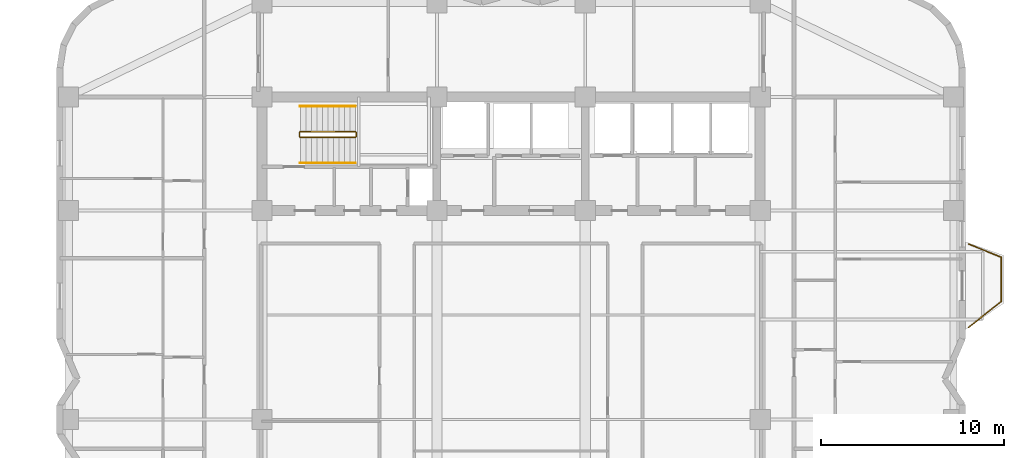
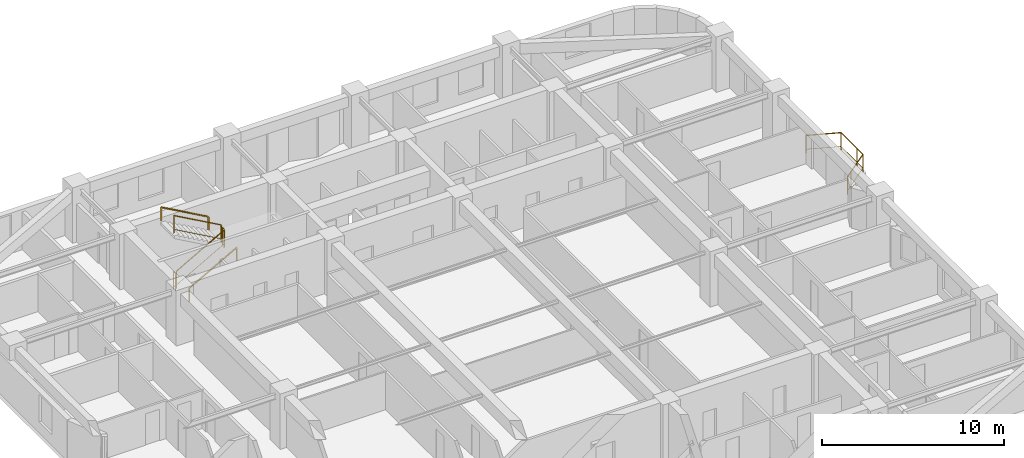
# One storey, part 10 of 10: 7 railings.
"""IFC4 building model written with IfcOpenShell, lengths in metres."""

import ifcopenshell
import ifcopenshell.guid

model = None  # the IFC model being written
_history = None  # IfcOwnerHistory: only IFC2X3 demands one
_inside = {}  # id of a spatial element -> (the spatial element, [elements in it])
_under = {}  # id of a project, library or spatial element -> (it, [spatial elements below it])
_declared = {}  # id of a project -> (the project, [libraries it declares])
_typed = {}  # id of a type object -> (the type object, [elements of that type])
_made_of = {}  # id of a material, layer set ... -> (it, [elements and type objects made of it])


def new_model(schema):
    """Start an empty IFC model of exactly this schema.

    Asked for "IFC4X3", IfcOpenShell would pick the latest addendum, in which some entities
    have other attributes; the version numbers below select the first issue.
    IFC2X3 requires an IfcOwnerHistory on every rooted entity: one is made here for all.
    """
    global model, _history
    if schema == "IFC4X3":
        model = ifcopenshell.file(schema_version=(4, 3, 0, 0))
    else:
        model = ifcopenshell.file(schema=schema)
    _inside.clear()
    _under.clear()
    _declared.clear()
    _typed.clear()
    _made_of.clear()
    _history = None
    if model.schema == "IFC2X3":
        org = make("IfcOrganization", Name="unknown")
        user = make(
            "IfcPersonAndOrganization",
            ThePerson=make("IfcPerson", FamilyName="unknown"),
            TheOrganization=org,
        )
        app = make(
            "IfcApplication",
            ApplicationDeveloper=org,
            Version="unknown",
            ApplicationFullName="unknown",
            ApplicationIdentifier="unknown",
        )
        _history = make(
            "IfcOwnerHistory",
            OwningUser=user,
            OwningApplication=app,
            ChangeAction="ADDED",
            CreationDate=0,
        )
    return model


def make(cls, **values):
    """One entity of the class cls with the attributes given. An attribute that is None is left unset."""
    return model.create_entity(
        cls, **{name: value for name, value in values.items() if value is not None}
    )


def rooted(cls, **values):
    """An entity with a GlobalId (a new one), such as an element, a storey or a relation."""
    return make(cls, GlobalId=ifcopenshell.guid.new(), OwnerHistory=_history, **values)


def si_unit(unit_type, name, prefix=None):
    """IfcSIUnit, for example si_unit("LENGTHUNIT", "METRE", prefix="MILLI")."""
    return make("IfcSIUnit", UnitType=unit_type, Prefix=prefix, Name=name)


def assignment(units):
    """IfcUnitAssignment: the units of a project."""
    return None if units is None else make("IfcUnitAssignment", Units=units)


def point(xyz):
    """IfcCartesianPoint."""
    return None if xyz is None else make("IfcCartesianPoint", Coordinates=xyz)


def direction(xyz):
    """IfcDirection."""
    return None if xyz is None else make("IfcDirection", DirectionRatios=xyz)


def frame(location, z_axis=None, x_axis=None):
    """IfcAxis2Placement3D, a coordinate frame: its origin and axes. An axis left out is left unset."""
    return make(
        "IfcAxis2Placement3D",
        Location=point(location),
        Axis=direction(z_axis),
        RefDirection=direction(x_axis),
    )


def frame_2d(location, x_axis=None):
    """IfcAxis2Placement2D, a coordinate frame in the plane: its origin and x axis."""
    return make(
        "IfcAxis2Placement2D", Location=point(location), RefDirection=direction(x_axis)
    )


def origin():
    """The frame at (0, 0, 0) with its axes left unset."""
    return frame((0.0, 0.0, 0.0))


def origin_2d():
    """The frame at (0, 0) in the plane with its x axis left unset."""
    return frame_2d((0.0, 0.0))


def place(relative_to, where):
    """IfcLocalPlacement: puts the frame where relative to a parent placement (None: the world)."""
    return make(
        "IfcLocalPlacement", PlacementRelTo=relative_to, RelativePlacement=where
    )


def context(
    kind, dimensions, precision=None, world=None, true_north=None, identifier=None
):
    """IfcGeometricRepresentationContext, for example the 3D "Model" context."""
    return make(
        "IfcGeometricRepresentationContext",
        ContextIdentifier=identifier,
        ContextType=kind,
        CoordinateSpaceDimension=dimensions,
        Precision=precision,
        WorldCoordinateSystem=world,
        TrueNorth=true_north,
    )


def subcontext(parent, identifier, kind, view, scale=None):
    """IfcGeometricRepresentationSubContext, for example "Body" below "Model"."""
    return make(
        "IfcGeometricRepresentationSubContext",
        ContextIdentifier=identifier,
        ContextType=kind,
        ParentContext=parent,
        TargetScale=scale,
        TargetView=view,
    )


def project(units=None, contexts=None):
    """IfcProject with its units and contexts."""
    return rooted(
        "IfcProject",
        Name="project",
        RepresentationContexts=contexts,
        UnitsInContext=assignment(units),
    )


def spatial(cls, under=None, at=None, **own):
    """A site, building, storey or space (cls), placed at a placement, below another one or the project."""
    s = rooted(cls, ObjectPlacement=at, **own)
    if under is not None:
        _under.setdefault(under.id(), (under, []))[1].append(s)
    return s


def profile(cls, at=None, kind="AREA", **sizes):
    """A parametric profile (cls). Its sizes go by their IFC names, for example OverallWidth=200.0."""
    return make(cls, ProfileType=kind, Position=at, **sizes)


def rectangle(**sizes):
    """IfcRectangleProfileDef."""
    return profile("IfcRectangleProfileDef", **sizes)


def extrude(swept, where, along, depth):
    """IfcExtrudedAreaSolid: the profile swept, set in the frame where, extruded along a direction by depth."""
    return make(
        "IfcExtrudedAreaSolid",
        SweptArea=swept,
        Position=where,
        ExtrudedDirection=direction(along),
        Depth=depth,
    )


def shape(context_of_items, identifier, shape_type, items):
    """IfcShapeRepresentation: the items that make up one representation, for example the "Body"."""
    return make(
        "IfcShapeRepresentation",
        ContextOfItems=context_of_items,
        RepresentationIdentifier=identifier,
        RepresentationType=shape_type,
        Items=items,
    )


def material(Name=None, Category=None):
    """IfcMaterial."""
    return make("IfcMaterial", Name=Name, Category=Category)


def made_of(thing, what):
    """Note that an element or type object is made of a material, layer set ...; save() writes the relation."""
    if what is not None:
        _made_of.setdefault(what.id(), (what, []))[1].append(thing)
    return thing


def type_object(cls, material=None, **own):
    """A type object (cls), such as IfcWallType, which elements share."""
    return made_of(rooted(cls, **own), material)


def element(
    cls,
    number,
    at=None,
    inside=None,
    cuts=None,
    type_object=None,
    material=None,
    context=None,
    identifier="Body",
    shape_type=None,
    held_by="IfcProductDefinitionShape",
    body=None,
    shapes=None,
    **own,
):
    """One element of the class cls, such as IfcWall. Its Tag is "e" and its number.

    at: its placement. inside: the storey or other place that contains it. cuts: it is an
    opening in that element (IfcRelVoidsElement). A single representation is given by context,
    identifier, shape_type and body (its items); several are given by shapes. held_by: the class
    of the entity that holds the representations. save() writes the other relations.
    """
    e = rooted(cls, Tag="e%d" % number, ObjectPlacement=at, **own)
    if body is not None:
        shapes = [shape(context, identifier, shape_type, body)]
    if shapes is not None:
        e.Representation = make(held_by, Representations=shapes)
    if inside is not None:
        _inside.setdefault(inside.id(), (inside, []))[1].append(e)
    if cuts is not None:
        rooted(
            "IfcRelVoidsElement", RelatingBuildingElement=cuts, RelatedOpeningElement=e
        )
    if type_object is not None:
        _typed.setdefault(type_object.id(), (type_object, []))[1].append(e)
    return made_of(e, material)


def aggregate(whole, parts):
    """IfcRelAggregates: a whole, such as a stair, and the parts it consists of."""
    return rooted("IfcRelAggregates", RelatingObject=whole, RelatedObjects=parts)


def save(model, path):
    """Write the relations noted so far, then the file.

    IfcRelAggregates (storeys below a building ...), IfcRelContainedInSpatialStructure (elements
    in a storey), IfcRelDefinesByType, IfcRelAssociatesMaterial and IfcRelDeclares: one each for
    every whole, place, type object, material and project.
    """
    for whole, parts in _under.values():
        aggregate(whole, parts)
    for where, things in _inside.values():
        rooted(
            "IfcRelContainedInSpatialStructure",
            RelatedElements=things,
            RelatingStructure=where,
        )
    for kind, things in _typed.values():
        rooted("IfcRelDefinesByType", RelatedObjects=things, RelatingType=kind)
    for what, things in _made_of.values():
        rooted("IfcRelAssociatesMaterial", RelatedObjects=things, RelatingMaterial=what)
    for by, libraries in _declared.values():
        rooted("IfcRelDeclares", RelatingContext=by, RelatedDefinitions=libraries)
    model.write(path)


model = new_model("IFC4")

# Units and contexts
model_context = context("Model", 3, precision=1e-05, world=origin(), true_north=direction((0.0, 1.0)))
body_context = subcontext(model_context, "Body", "Model", "MODEL_VIEW")
ifc_project = project(units=[si_unit("LENGTHUNIT", "METRE"), si_unit("AREAUNIT", "SQUARE_METRE"), si_unit("VOLUMEUNIT", "CUBIC_METRE"), si_unit("PLANEANGLEUNIT", "RADIAN"), si_unit("MASSUNIT", "GRAM", prefix="KILO")], contexts=[model_context])

# Site, building, storey
site_placement = place(None, origin())
site = spatial("IfcSite", under=ifc_project, at=site_placement, CompositionType="ELEMENT")
building_placement = place(site_placement, origin())
building = spatial("IfcBuilding", under=site, at=building_placement, Name="Svetorya Sky Lyceum", CompositionType="ELEMENT")
storey_placement = place(building_placement, frame((0.0, 0.0, 95.699951171875)))
storey = spatial("IfcBuildingStorey", under=building, at=storey_placement, Name="L23", CompositionType="ELEMENT", Elevation=95.699951171875)

# Railings
ifc_material_1 = material(Name="Laminated safety glass and stainless AISI 316", Category="glass")
railing_type_1 = type_object("IfcRailingType", Name="RL-BAL-1200", PredefinedType="BALUSTRADE", material=ifc_material_1)
railing_1_placement = place(storey_placement, frame((64.169921875, 37.780029296875, 0.0)))
element("IfcRailing", 1, at=railing_1_placement, inside=storey, type_object=railing_type_1, Name="L23 Balcony Balustrade BAL-E1", PredefinedType="BALUSTRADE", context=body_context, shape_type="SweptSolid", body=[
    extrude(rectangle(XDim=0.048095703125, YDim=0.048095703125, at=origin_2d()), frame((0.0, 0.0, 1.17578125), z_axis=(0.926697865975, -0.375807218129, 0.0), x_axis=(0.375807218129, 0.926697865975, 0.0)), (0.0, 0.0, 1.0), 1.9423828125),
    extrude(rectangle(XDim=0.02392578125, YDim=0.02392578125, at=origin_2d()), frame((0.0, 0.0, 0.25), z_axis=(0.926697865975, -0.375807218129, 0.0), x_axis=(0.375807218129, 0.926697865975, 0.0)), (0.0, 0.0, 1.0), 1.9423828125),
    extrude(rectangle(XDim=0.048095703125, YDim=0.048095703125, at=origin_2d()), frame((1.800048828125, -0.72998046875, 1.17578125), z_axis=(0.0, -1.0, 0.0), x_axis=(1.0, 0.0, 0.0)), (0.0, 0.0, 1.0), 2.400146484375),
    extrude(rectangle(XDim=0.02392578125, YDim=0.02392578125, at=origin_2d()), frame((1.800048828125, -0.72998046875, 0.25), z_axis=(0.0, -1.0, 0.0), x_axis=(1.0, 0.0, 0.0)), (0.0, 0.0, 1.0), 2.400146484375),
    extrude(rectangle(XDim=0.048095703125, YDim=0.048095703125, at=origin_2d()), frame((1.800048828125, -3.130126953125, 1.17578125), z_axis=(-0.783008919264, -0.622010476079, 0.0), x_axis=(0.622010476079, -0.783008919264, 0.0)), (0.0, 0.0, 1.0), 2.298828125),
    extrude(rectangle(XDim=0.02392578125, YDim=0.02392578125, at=origin_2d()), frame((1.800048828125, -3.130126953125, 0.25), z_axis=(-0.783008919264, -0.622010476079, 0.0), x_axis=(0.622010476079, -0.783008919264, 0.0)), (0.0, 0.0, 1.0), 2.298828125),
    extrude(rectangle(XDim=0.0419921875, YDim=0.0419921875, at=origin_2d()), origin(), (0.0, 0.0, 1.0), 1.15185546875),
    extrude(rectangle(XDim=0.0419921875, YDim=0.0419921875, at=origin_2d()), frame((1.800048828125, -0.72998046875, 0.0)), (0.0, 0.0, 1.0), 1.15185546875),
    extrude(rectangle(XDim=0.0419921875, YDim=0.0419921875, at=origin_2d()), frame((1.800048828125, -2.47998046875, 0.0)), (0.0, 0.0, 1.0), 1.15185546875),
    extrude(rectangle(XDim=0.0419921875, YDim=0.0419921875, at=origin_2d()), frame((1.800048828125, -3.130126953125, 0.0)), (0.0, 0.0, 1.0), 1.15185546875),
    extrude(rectangle(XDim=0.0419921875, YDim=0.0419921875, at=origin_2d()), frame((0.4296875, -4.21875, 0.0)), (0.0, 0.0, 1.0), 1.15185546875),
    extrude(rectangle(XDim=0.0419921875, YDim=0.0419921875, at=origin_2d()), frame((0.0, -4.56005859375, 0.0)), (0.0, 0.0, 1.0), 1.15185546875),
])
ifc_material_2 = material(Name="Painted galvanized stair well guard")
railing_type_2 = type_object("IfcRailingType", Name="RL-STR-GUARD-1200", PredefinedType="GUARDRAIL", material=ifc_material_2)
railing_2_placement = place(storey_placement, frame((27.699951171875, 43.60009765625, 0.168212890625)))
element("IfcRailing", 2, at=railing_2_placement, inside=storey, type_object=railing_type_2, Name="L23 ST-N stair guard 1", PredefinedType="GUARDRAIL", context=body_context, shape_type="SweptSolid", body=[
    extrude(rectangle(XDim=0.048095703125, YDim=0.048095703125, at=origin_2d()), frame((0.0, 0.0, 1.17578125), z_axis=(0.872272294576, 0.0, 0.489020494575), x_axis=(0.0, 1.0, 0.0)), (0.0, 0.0, 1.0), 3.439208984375),
    extrude(rectangle(XDim=0.02392578125, YDim=0.02392578125, at=origin_2d()), frame((0.0, 0.0, 0.25), z_axis=(0.872272294576, 0.0, 0.489020494575), x_axis=(0.0, 1.0, 0.0)), (0.0, 0.0, 1.0), 3.439208984375),
    extrude(rectangle(XDim=0.0419921875, YDim=0.0419921875, at=origin_2d()), origin(), (0.0, 0.0, 1.0), 1.15185546875),
    extrude(rectangle(XDim=0.0419921875, YDim=0.0419921875, at=origin_2d()), frame((3.0, 0.0, 1.681884765625)), (0.0, 0.0, 1.0), 1.15185546875),
])
railing_3_placement = place(storey_placement, frame((30.75, 43.64990234375, 1.85009765625)))
element("IfcRailing", 3, at=railing_3_placement, inside=storey, type_object=railing_type_2, Name="L23 ST-N stair guard 2", PredefinedType="GUARDRAIL", context=body_context, shape_type="SweptSolid", body=[
    extrude(rectangle(XDim=0.048095703125, YDim=0.048095703125, at=origin_2d()), frame((0.0, 0.0, 1.17578125), z_axis=(0.0, 1.0, 0.0), x_axis=(-1.0, 0.0, 0.0)), (0.0, 0.0, 1.0), 0.2001953125),
    extrude(rectangle(XDim=0.02392578125, YDim=0.02392578125, at=origin_2d()), frame((0.0, 0.0, 0.25), z_axis=(0.0, 1.0, 0.0), x_axis=(-1.0, 0.0, 0.0)), (0.0, 0.0, 1.0), 0.2001953125),
    extrude(rectangle(XDim=0.0419921875, YDim=0.0419921875, at=origin_2d()), origin(), (0.0, 0.0, 1.0), 1.15185546875),
    extrude(rectangle(XDim=0.0419921875, YDim=0.0419921875, at=origin_2d()), frame((0.0, 0.2001953125, 0.0)), (0.0, 0.0, 1.0), 1.15185546875),
])
railing_4_placement = place(storey_placement, frame((30.699951171875, 43.89990234375, 2.018310546875)))
element("IfcRailing", 4, at=railing_4_placement, inside=storey, type_object=railing_type_2, Name="L23 ST-N stair guard 3", PredefinedType="GUARDRAIL", context=body_context, shape_type="SweptSolid", body=[
    extrude(rectangle(XDim=0.048095703125, YDim=0.048095703125, at=origin_2d()), frame((0.0, 0.0, 1.17578125), z_axis=(-0.872302573547, 0.0, 0.488966481656), x_axis=(0.0, -1.0, 0.0)), (0.0, 0.0, 1.0), 3.439208984375),
    extrude(rectangle(XDim=0.02392578125, YDim=0.02392578125, at=origin_2d()), frame((0.0, 0.0, 0.25), z_axis=(-0.872302573547, 0.0, 0.488966481656), x_axis=(0.0, -1.0, 0.0)), (0.0, 0.0, 1.0), 3.439208984375),
    extrude(rectangle(XDim=0.0419921875, YDim=0.0419921875, at=origin_2d()), origin(), (0.0, 0.0, 1.0), 1.15185546875),
    extrude(rectangle(XDim=0.0419921875, YDim=0.0419921875, at=origin_2d()), frame((-3.0, 0.0, 1.681640625)), (0.0, 0.0, 1.0), 1.15185546875),
])
railing_5_placement = place(storey_placement, frame((27.64990234375, 43.64990234375, 0.0)))
element("IfcRailing", 5, at=railing_5_placement, inside=storey, type_object=railing_type_2, Name="L23 ST-N stair guard 4", PredefinedType="GUARDRAIL", context=body_context, shape_type="SweptSolid", body=[
    extrude(rectangle(XDim=0.048095703125, YDim=0.048095703125, at=origin_2d()), frame((0.0, 0.0, 1.17578125), z_axis=(0.0, 1.0, 0.0), x_axis=(-1.0, 0.0, 0.0)), (0.0, 0.0, 1.0), 0.2001953125),
    extrude(rectangle(XDim=0.02392578125, YDim=0.02392578125, at=origin_2d()), frame((0.0, 0.0, 0.25), z_axis=(0.0, 1.0, 0.0), x_axis=(-1.0, 0.0, 0.0)), (0.0, 0.0, 1.0), 0.2001953125),
    extrude(rectangle(XDim=0.0419921875, YDim=0.0419921875, at=origin_2d()), origin(), (0.0, 0.0, 1.0), 1.15185546875),
    extrude(rectangle(XDim=0.0419921875, YDim=0.0419921875, at=origin_2d()), frame((0.0, 0.2001953125, 0.0)), (0.0, 0.0, 1.0), 1.15185546875),
])
ifc_material_3 = material(Name="Brushed stainless AISI 304 stair handrail")
railing_type_3 = type_object("IfcRailingType", Name="RL-STR-HAND-920", PredefinedType="HANDRAIL", material=ifc_material_3)
railing_6_placement = place(storey_placement, frame((27.699951171875, 42.199951171875, 0.168212890625)))
element("IfcRailing", 6, at=railing_6_placement, inside=storey, type_object=railing_type_3, Name="L23 ST-N stair handrail 1", PredefinedType="HANDRAIL", context=body_context, shape_type="SweptSolid", body=[
    extrude(rectangle(XDim=0.048095703125, YDim=0.048095703125, at=origin_2d()), frame((0.0, 0.0, 0.8759765625), z_axis=(0.872272294576, 0.0, 0.489020494575), x_axis=(0.0, 1.0, 0.0)), (0.0, 0.0, 1.0), 3.439208984375),
    extrude(rectangle(XDim=0.0419921875, YDim=0.0419921875, at=origin_2d()), origin(), (0.0, 0.0, 1.0), 0.851806640625),
    extrude(rectangle(XDim=0.0419921875, YDim=0.0419921875, at=origin_2d()), frame((3.0, 0.0, 1.681884765625)), (0.0, 0.0, 1.0), 0.851806640625),
])
railing_7_placement = place(storey_placement, frame((30.699951171875, 45.300048828125, 2.018310546875)))
element("IfcRailing", 7, at=railing_7_placement, inside=storey, type_object=railing_type_3, Name="L23 ST-N stair handrail 2", PredefinedType="HANDRAIL", context=body_context, shape_type="SweptSolid", body=[
    extrude(rectangle(XDim=0.048095703125, YDim=0.048095703125, at=origin_2d()), frame((0.0, 0.0, 0.8759765625), z_axis=(-0.872302573547, 0.0, 0.488966481656), x_axis=(0.0, -1.0, 0.0)), (0.0, 0.0, 1.0), 3.439208984375),
    extrude(rectangle(XDim=0.0419921875, YDim=0.0419921875, at=origin_2d()), origin(), (0.0, 0.0, 1.0), 0.851806640625),
    extrude(rectangle(XDim=0.0419921875, YDim=0.0419921875, at=origin_2d()), frame((-3.0, 0.0, 1.681640625)), (0.0, 0.0, 1.0), 0.851806640625),
])

save(model, "model.ifc")
